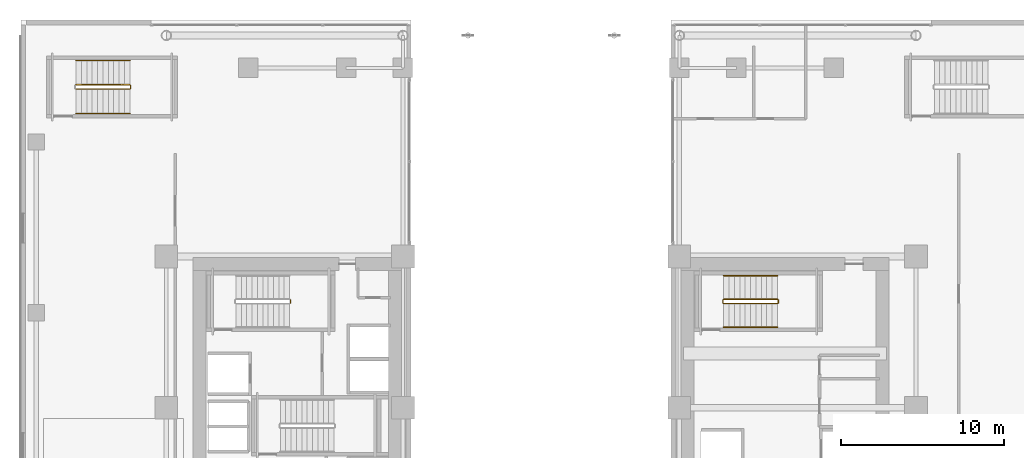
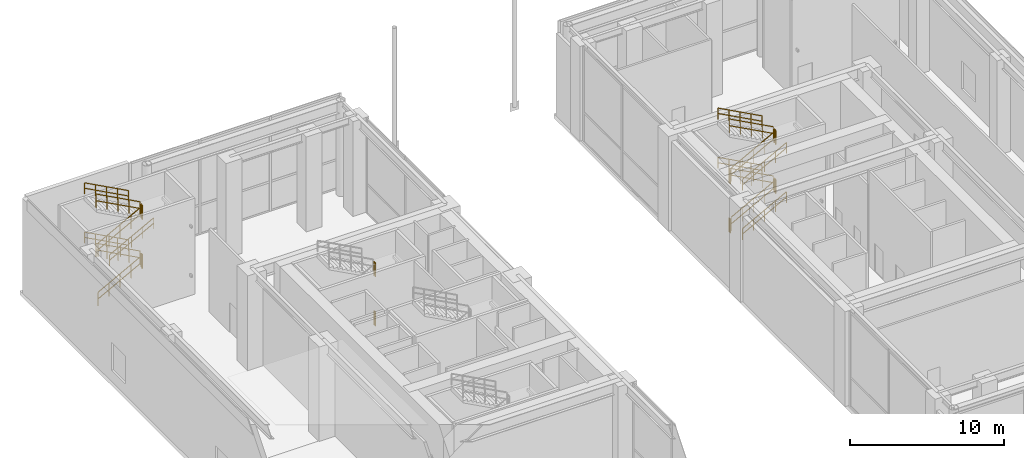
# One storey, part 27 of 29: 23 railings.
"""IFC4 building model written with IfcOpenShell, lengths in metres."""

from ifc_helpers import new_model, si_unit, direction, frame, origin, origin_2d, place, context, subcontext, project, spatial, rectangle, extrude, material, type_object, element, save


model = new_model("IFC4")

# Units and contexts
model_context = context("Model", 3, precision=1e-05, world=origin(), true_north=direction((0.0, 1.0)))
body_context = subcontext(model_context, "Body", "Model", "MODEL_VIEW")
ifc_project = project(units=[si_unit("LENGTHUNIT", "METRE"), si_unit("AREAUNIT", "SQUARE_METRE"), si_unit("VOLUMEUNIT", "CUBIC_METRE"), si_unit("PLANEANGLEUNIT", "RADIAN"), si_unit("MASSUNIT", "GRAM", prefix="KILO")], contexts=[model_context])

# Site, building, storey
site_placement = place(None, origin())
site = spatial("IfcSite", under=ifc_project, at=site_placement, CompositionType="ELEMENT")
building_placement = place(site_placement, origin())
building = spatial("IfcBuilding", under=site, at=building_placement, Name="Ocotamira Hotel", CompositionType="ELEMENT")
storey_placement = place(building_placement, frame((0.0, 0.0, 11.39990234375)))
storey = spatial("IfcBuildingStorey", under=building, at=storey_placement, Name="L03", CompositionType="ELEMENT", Elevation=11.39990234375)

# Railings
ifc_material_1 = material(Name="Brushed stainless steel handrail", Category="steel")
railing_type_1 = type_object("IfcRailingType", Name="RL-HAND-900", PredefinedType="HANDRAIL", material=ifc_material_1)
railing_1_placement = place(storey_placement, frame((43.22998046875, 33.10009765625, 0.354736328125)))
element("IfcRailing", 1, at=railing_1_placement, inside=storey, type_object=railing_type_1, Name="L03 ST-4 stair handrail 1", PredefinedType="HANDRAIL", context=body_context, shape_type="SweptSolid", body=[
    extrude(rectangle(XDim=0.048095703125, YDim=0.048095703125, at=origin_2d()), frame((0.0, 0.0, 0.8759765625), z_axis=(0.880943614595, 0.0, 0.473221246251), x_axis=(0.0, 1.0, 0.0)), (0.0, 0.0, 1.0), 3.74609375),
    extrude(rectangle(XDim=0.048095703125, YDim=0.048095703125, at=origin_2d()), frame((0.0, 0.0, 0.449951171875), z_axis=(0.880943614595, 0.0, 0.473221246251), x_axis=(0.0, 1.0, 0.0)), (0.0, 0.0, 1.0), 3.74609375),
    extrude(rectangle(XDim=0.0419921875, YDim=0.0419921875, at=origin_2d()), origin(), (0.0, 0.0, 1.0), 0.851806640625),
    extrude(rectangle(XDim=0.0419921875, YDim=0.0419921875, at=origin_2d()), frame((0.824951171875, 0.0, 0.443115234375)), (0.0, 0.0, 1.0), 0.851806640625),
    extrude(rectangle(XDim=0.0419921875, YDim=0.0419921875, at=origin_2d()), frame((1.64990234375, 0.0, 0.88623046875)), (0.0, 0.0, 1.0), 0.851806640625),
    extrude(rectangle(XDim=0.0419921875, YDim=0.0419921875, at=origin_2d()), frame((2.47509765625, 0.0, 1.32958984375)), (0.0, 0.0, 1.0), 0.851806640625),
    extrude(rectangle(XDim=0.0419921875, YDim=0.0419921875, at=origin_2d()), frame((3.300048828125, 0.0, 1.772705078125)), (0.0, 0.0, 1.0), 0.851806640625),
])
railing_2_placement = place(storey_placement, frame((46.530029296875, 36.280029296875, 2.3046875)))
element("IfcRailing", 2, at=railing_2_placement, inside=storey, type_object=railing_type_1, Name="L03 ST-4 stair handrail 2", PredefinedType="HANDRAIL", context=body_context, shape_type="SweptSolid", body=[
    extrude(rectangle(XDim=0.048095703125, YDim=0.048095703125, at=origin_2d()), frame((0.0, 0.0, 0.8759765625), z_axis=(-0.880943614595, 0.0, 0.473221246251), x_axis=(0.0, -1.0, 0.0)), (0.0, 0.0, 1.0), 3.74609375),
    extrude(rectangle(XDim=0.048095703125, YDim=0.048095703125, at=origin_2d()), frame((0.0, 0.0, 0.449951171875), z_axis=(-0.880943614595, 0.0, 0.473221246251), x_axis=(0.0, -1.0, 0.0)), (0.0, 0.0, 1.0), 3.74609375),
    extrude(rectangle(XDim=0.0419921875, YDim=0.0419921875, at=origin_2d()), origin(), (0.0, 0.0, 1.0), 0.851806640625),
    extrude(rectangle(XDim=0.0419921875, YDim=0.0419921875, at=origin_2d()), frame((-0.824951171875, 0.0, 0.443115234375)), (0.0, 0.0, 1.0), 0.851806640625),
    extrude(rectangle(XDim=0.0419921875, YDim=0.0419921875, at=origin_2d()), frame((-1.64990234375, 0.0, 0.88623046875)), (0.0, 0.0, 1.0), 0.851806640625),
    extrude(rectangle(XDim=0.0419921875, YDim=0.0419921875, at=origin_2d()), frame((-2.47509765625, 0.0, 1.32958984375)), (0.0, 0.0, 1.0), 0.851806640625),
    extrude(rectangle(XDim=0.0419921875, YDim=0.0419921875, at=origin_2d()), frame((-3.300048828125, 0.0, 1.772705078125)), (0.0, 0.0, 1.0), 0.851806640625),
])
railing_3_placement = place(storey_placement, frame((43.22998046875, 33.10009765625, 4.254638671875)))
element("IfcRailing", 3, at=railing_3_placement, inside=storey, type_object=railing_type_1, Name="L03 ST-4 stair handrail 3", PredefinedType="HANDRAIL", context=body_context, shape_type="SweptSolid", body=[
    extrude(rectangle(XDim=0.048095703125, YDim=0.048095703125, at=origin_2d()), frame((0.0, 0.0, 0.8759765625), z_axis=(0.880943614595, 0.0, 0.473221246251), x_axis=(0.0, 1.0, 0.0)), (0.0, 0.0, 1.0), 3.74609375),
    extrude(rectangle(XDim=0.048095703125, YDim=0.048095703125, at=origin_2d()), frame((0.0, 0.0, 0.449951171875), z_axis=(0.880943614595, 0.0, 0.473221246251), x_axis=(0.0, 1.0, 0.0)), (0.0, 0.0, 1.0), 3.74609375),
    extrude(rectangle(XDim=0.0419921875, YDim=0.0419921875, at=origin_2d()), origin(), (0.0, 0.0, 1.0), 0.851806640625),
    extrude(rectangle(XDim=0.0419921875, YDim=0.0419921875, at=origin_2d()), frame((0.824951171875, 0.0, 0.443115234375)), (0.0, 0.0, 1.0), 0.851806640625),
    extrude(rectangle(XDim=0.0419921875, YDim=0.0419921875, at=origin_2d()), frame((1.64990234375, 0.0, 0.88623046875)), (0.0, 0.0, 1.0), 0.851806640625),
    extrude(rectangle(XDim=0.0419921875, YDim=0.0419921875, at=origin_2d()), frame((2.47509765625, 0.0, 1.32958984375)), (0.0, 0.0, 1.0), 0.851806640625),
    extrude(rectangle(XDim=0.0419921875, YDim=0.0419921875, at=origin_2d()), frame((3.300048828125, 0.0, 1.772705078125)), (0.0, 0.0, 1.0), 0.851806640625),
])
for number, where, name in (
    (4, (46.530029296875, 36.280029296875, 6.20458984375), "L03 ST-4 stair handrail 4"),
    (5, (6.699951171875, 49.510009765625, 2.3046875), "L03 ST-5 stair handrail 2"),
):
    element("IfcRailing", number, at=place(storey_placement, frame(where)), inside=storey, type_object=railing_type_1, Name=name, PredefinedType="HANDRAIL", context=body_context, shape_type="SweptSolid", body=[
        extrude(rectangle(XDim=0.048095703125, YDim=0.048095703125, at=origin_2d()), frame((0.0, 0.0, 0.8759765625), z_axis=(-0.880943614595, 0.0, 0.473221246251), x_axis=(0.0, -1.0, 0.0)), (0.0, 0.0, 1.0), 3.74609375),
        extrude(rectangle(XDim=0.048095703125, YDim=0.048095703125, at=origin_2d()), frame((0.0, 0.0, 0.449951171875), z_axis=(-0.880943614595, 0.0, 0.473221246251), x_axis=(0.0, -1.0, 0.0)), (0.0, 0.0, 1.0), 3.74609375),
        extrude(rectangle(XDim=0.0419921875, YDim=0.0419921875, at=origin_2d()), origin(), (0.0, 0.0, 1.0), 0.851806640625),
        extrude(rectangle(XDim=0.0419921875, YDim=0.0419921875, at=origin_2d()), frame((-0.824951171875, 0.0, 0.443115234375)), (0.0, 0.0, 1.0), 0.851806640625),
        extrude(rectangle(XDim=0.0419921875, YDim=0.0419921875, at=origin_2d()), frame((-1.64990234375, 0.0, 0.88623046875)), (0.0, 0.0, 1.0), 0.851806640625),
        extrude(rectangle(XDim=0.0419921875, YDim=0.0419921875, at=origin_2d()), frame((-2.47509765625, 0.0, 1.32958984375)), (0.0, 0.0, 1.0), 0.851806640625),
        extrude(rectangle(XDim=0.0419921875, YDim=0.0419921875, at=origin_2d()), frame((-3.300048828125, 0.0, 1.772705078125)), (0.0, 0.0, 1.0), 0.851806640625),
    ])
railing_4_placement = place(storey_placement, frame((3.39990234375, 46.25, 4.254638671875)))
element("IfcRailing", 6, at=railing_4_placement, inside=storey, type_object=railing_type_1, Name="L03 ST-5 stair handrail 3", PredefinedType="HANDRAIL", context=body_context, shape_type="SweptSolid", body=[
    extrude(rectangle(XDim=0.048095703125, YDim=0.048095703125, at=origin_2d()), frame((0.0, 0.0, 0.8759765625), z_axis=(0.880943614595, 0.0, 0.473221246251), x_axis=(0.0, 1.0, 0.0)), (0.0, 0.0, 1.0), 3.74609375),
    extrude(rectangle(XDim=0.048095703125, YDim=0.048095703125, at=origin_2d()), frame((0.0, 0.0, 0.449951171875), z_axis=(0.880943614595, 0.0, 0.473221246251), x_axis=(0.0, 1.0, 0.0)), (0.0, 0.0, 1.0), 3.74609375),
    extrude(rectangle(XDim=0.0419921875, YDim=0.0419921875, at=origin_2d()), origin(), (0.0, 0.0, 1.0), 0.851806640625),
    extrude(rectangle(XDim=0.0419921875, YDim=0.0419921875, at=origin_2d()), frame((0.824951171875, 0.0, 0.443115234375)), (0.0, 0.0, 1.0), 0.851806640625),
    extrude(rectangle(XDim=0.0419921875, YDim=0.0419921875, at=origin_2d()), frame((1.64990234375, 0.0, 0.88623046875)), (0.0, 0.0, 1.0), 0.851806640625),
    extrude(rectangle(XDim=0.0419921875, YDim=0.0419921875, at=origin_2d()), frame((2.47509765625, 0.0, 1.32958984375)), (0.0, 0.0, 1.0), 0.851806640625),
    extrude(rectangle(XDim=0.0419921875, YDim=0.0419921875, at=origin_2d()), frame((3.300048828125, 0.0, 1.772705078125)), (0.0, 0.0, 1.0), 0.851806640625),
])
railing_5_placement = place(storey_placement, frame((6.699951171875, 49.510009765625, 6.20458984375)))
element("IfcRailing", 7, at=railing_5_placement, inside=storey, type_object=railing_type_1, Name="L03 ST-5 stair handrail 4", PredefinedType="HANDRAIL", context=body_context, shape_type="SweptSolid", body=[
    extrude(rectangle(XDim=0.048095703125, YDim=0.048095703125, at=origin_2d()), frame((0.0, 0.0, 0.8759765625), z_axis=(-0.880943614595, 0.0, 0.473221246251), x_axis=(0.0, -1.0, 0.0)), (0.0, 0.0, 1.0), 3.74609375),
    extrude(rectangle(XDim=0.048095703125, YDim=0.048095703125, at=origin_2d()), frame((0.0, 0.0, 0.449951171875), z_axis=(-0.880943614595, 0.0, 0.473221246251), x_axis=(0.0, -1.0, 0.0)), (0.0, 0.0, 1.0), 3.74609375),
    extrude(rectangle(XDim=0.0419921875, YDim=0.0419921875, at=origin_2d()), origin(), (0.0, 0.0, 1.0), 0.851806640625),
    extrude(rectangle(XDim=0.0419921875, YDim=0.0419921875, at=origin_2d()), frame((-0.824951171875, 0.0, 0.443115234375)), (0.0, 0.0, 1.0), 0.851806640625),
    extrude(rectangle(XDim=0.0419921875, YDim=0.0419921875, at=origin_2d()), frame((-1.64990234375, 0.0, 0.88623046875)), (0.0, 0.0, 1.0), 0.851806640625),
    extrude(rectangle(XDim=0.0419921875, YDim=0.0419921875, at=origin_2d()), frame((-2.47509765625, 0.0, 1.32958984375)), (0.0, 0.0, 1.0), 0.851806640625),
    extrude(rectangle(XDim=0.0419921875, YDim=0.0419921875, at=origin_2d()), frame((-3.300048828125, 0.0, 1.772705078125)), (0.0, 0.0, 1.0), 0.851806640625),
])
ifc_material_2 = material(Name="Painted steel stair guardrail", Category="steel")
railing_type_2 = type_object("IfcRailingType", Name="RL-STAIR-1100", PredefinedType="GUARDRAIL", material=ifc_material_2)
for number, where, name in (
    (8, (16.580078125, 34.610107421875, 1.9501953125), "L03 ST-2 stair guard 2"),
    (9, (16.580078125, 34.610107421875, 5.85009765625), "L03 ST-2 stair guard 6"),
):
    element("IfcRailing", number, at=place(storey_placement, frame(where)), inside=storey, type_object=railing_type_2, Name=name, PredefinedType="GUARDRAIL", context=body_context, shape_type="SweptSolid", body=[
        extrude(rectangle(XDim=0.048095703125, YDim=0.048095703125, at=origin_2d()), frame((0.0, 0.0, 1.076171875), z_axis=(0.0, 1.0, 0.0), x_axis=(-1.0, 0.0, 0.0)), (0.0, 0.0, 1.0), 0.159912109375),
        extrude(rectangle(XDim=0.048095703125, YDim=0.048095703125, at=origin_2d()), frame((0.0, 0.0, 0.550048828125), z_axis=(0.0, 1.0, 0.0), x_axis=(-1.0, 0.0, 0.0)), (0.0, 0.0, 1.0), 0.159912109375),
        extrude(rectangle(XDim=0.0419921875, YDim=0.0419921875, at=origin_2d()), origin(), (0.0, 0.0, 1.0), 1.052001953125),
        extrude(rectangle(XDim=0.0419921875, YDim=0.0419921875, at=origin_2d()), frame((0.0, 0.159912109375, 0.0)), (0.0, 0.0, 1.0), 1.052001953125),
    ])
railing_6_placement = place(storey_placement, frame((43.22998046875, 34.56005859375, 0.177490234375)))
element("IfcRailing", 10, at=railing_6_placement, inside=storey, type_object=railing_type_2, Name="L03 ST-4 stair guard 1", PredefinedType="GUARDRAIL", context=body_context, shape_type="SweptSolid", body=[
    extrude(rectangle(XDim=0.048095703125, YDim=0.048095703125, at=origin_2d()), frame((0.0, 0.0, 1.076171875), z_axis=(0.880943614595, 0.0, 0.473221246251), x_axis=(0.0, 1.0, 0.0)), (0.0, 0.0, 1.0), 3.74609375),
    extrude(rectangle(XDim=0.048095703125, YDim=0.048095703125, at=origin_2d()), frame((0.0, 0.0, 0.550048828125), z_axis=(0.880943614595, 0.0, 0.473221246251), x_axis=(0.0, 1.0, 0.0)), (0.0, 0.0, 1.0), 3.74609375),
    extrude(rectangle(XDim=0.0419921875, YDim=0.0419921875, at=origin_2d()), origin(), (0.0, 0.0, 1.0), 1.052001953125),
    extrude(rectangle(XDim=0.0419921875, YDim=0.0419921875, at=origin_2d()), frame((0.824951171875, 0.0, 0.443115234375)), (0.0, 0.0, 1.0), 1.052001953125),
    extrude(rectangle(XDim=0.0419921875, YDim=0.0419921875, at=origin_2d()), frame((1.64990234375, 0.0, 0.88623046875)), (0.0, 0.0, 1.0), 1.052001953125),
    extrude(rectangle(XDim=0.0419921875, YDim=0.0419921875, at=origin_2d()), frame((2.47509765625, 0.0, 1.32958984375)), (0.0, 0.0, 1.0), 1.052001953125),
    extrude(rectangle(XDim=0.0419921875, YDim=0.0419921875, at=origin_2d()), frame((3.300048828125, 0.0, 1.772705078125)), (0.0, 0.0, 1.0), 1.052001953125),
])
railing_7_placement = place(storey_placement, frame((46.580078125, 34.610107421875, 1.9501953125)))
element("IfcRailing", 11, at=railing_7_placement, inside=storey, type_object=railing_type_2, Name="L03 ST-4 stair guard 2", PredefinedType="GUARDRAIL", context=body_context, shape_type="SweptSolid", body=[
    extrude(rectangle(XDim=0.048095703125, YDim=0.048095703125, at=origin_2d()), frame((0.0, 0.0, 1.076171875), z_axis=(0.0, 1.0, 0.0), x_axis=(-1.0, 0.0, 0.0)), (0.0, 0.0, 1.0), 0.159912109375),
    extrude(rectangle(XDim=0.048095703125, YDim=0.048095703125, at=origin_2d()), frame((0.0, 0.0, 0.550048828125), z_axis=(0.0, 1.0, 0.0), x_axis=(-1.0, 0.0, 0.0)), (0.0, 0.0, 1.0), 0.159912109375),
    extrude(rectangle(XDim=0.0419921875, YDim=0.0419921875, at=origin_2d()), origin(), (0.0, 0.0, 1.0), 1.052001953125),
    extrude(rectangle(XDim=0.0419921875, YDim=0.0419921875, at=origin_2d()), frame((0.0, 0.159912109375, 0.0)), (0.0, 0.0, 1.0), 1.052001953125),
])
railing_8_placement = place(storey_placement, frame((46.530029296875, 34.820068359375, 2.12744140625)))
element("IfcRailing", 12, at=railing_8_placement, inside=storey, type_object=railing_type_2, Name="L03 ST-4 stair guard 3", PredefinedType="GUARDRAIL", context=body_context, shape_type="SweptSolid", body=[
    extrude(rectangle(XDim=0.048095703125, YDim=0.048095703125, at=origin_2d()), frame((0.0, 0.0, 1.076171875), z_axis=(-0.880943614595, 0.0, 0.473221246251), x_axis=(0.0, -1.0, 0.0)), (0.0, 0.0, 1.0), 3.74609375),
    extrude(rectangle(XDim=0.048095703125, YDim=0.048095703125, at=origin_2d()), frame((0.0, 0.0, 0.550048828125), z_axis=(-0.880943614595, 0.0, 0.473221246251), x_axis=(0.0, -1.0, 0.0)), (0.0, 0.0, 1.0), 3.74609375),
    extrude(rectangle(XDim=0.0419921875, YDim=0.0419921875, at=origin_2d()), origin(), (0.0, 0.0, 1.0), 1.052001953125),
    extrude(rectangle(XDim=0.0419921875, YDim=0.0419921875, at=origin_2d()), frame((-0.824951171875, 0.0, 0.443115234375)), (0.0, 0.0, 1.0), 1.052001953125),
    extrude(rectangle(XDim=0.0419921875, YDim=0.0419921875, at=origin_2d()), frame((-1.64990234375, 0.0, 0.88623046875)), (0.0, 0.0, 1.0), 1.052001953125),
    extrude(rectangle(XDim=0.0419921875, YDim=0.0419921875, at=origin_2d()), frame((-2.47509765625, 0.0, 1.32958984375)), (0.0, 0.0, 1.0), 1.052001953125),
    extrude(rectangle(XDim=0.0419921875, YDim=0.0419921875, at=origin_2d()), frame((-3.300048828125, 0.0, 1.772705078125)), (0.0, 0.0, 1.0), 1.052001953125),
])
railing_9_placement = place(storey_placement, frame((43.179931640625, 34.610107421875, 3.900146484375)))
element("IfcRailing", 13, at=railing_9_placement, inside=storey, type_object=railing_type_2, Name="L03 ST-4 stair guard 4", PredefinedType="GUARDRAIL", context=body_context, shape_type="SweptSolid", body=[
    extrude(rectangle(XDim=0.048095703125, YDim=0.048095703125, at=origin_2d()), frame((0.0, 0.0, 1.076171875), z_axis=(0.0, 1.0, 0.0), x_axis=(-1.0, 0.0, 0.0)), (0.0, 0.0, 1.0), 0.159912109375),
    extrude(rectangle(XDim=0.048095703125, YDim=0.048095703125, at=origin_2d()), frame((0.0, 0.0, 0.550048828125), z_axis=(0.0, 1.0, 0.0), x_axis=(-1.0, 0.0, 0.0)), (0.0, 0.0, 1.0), 0.159912109375),
    extrude(rectangle(XDim=0.0419921875, YDim=0.0419921875, at=origin_2d()), origin(), (0.0, 0.0, 1.0), 1.052001953125),
    extrude(rectangle(XDim=0.0419921875, YDim=0.0419921875, at=origin_2d()), frame((0.0, 0.159912109375, 0.0)), (0.0, 0.0, 1.0), 1.052001953125),
])
railing_10_placement = place(storey_placement, frame((43.22998046875, 34.56005859375, 4.077392578125)))
element("IfcRailing", 14, at=railing_10_placement, inside=storey, type_object=railing_type_2, Name="L03 ST-4 stair guard 5", PredefinedType="GUARDRAIL", context=body_context, shape_type="SweptSolid", body=[
    extrude(rectangle(XDim=0.048095703125, YDim=0.048095703125, at=origin_2d()), frame((0.0, 0.0, 1.076171875), z_axis=(0.880943614595, 0.0, 0.473221246251), x_axis=(0.0, 1.0, 0.0)), (0.0, 0.0, 1.0), 3.74609375),
    extrude(rectangle(XDim=0.048095703125, YDim=0.048095703125, at=origin_2d()), frame((0.0, 0.0, 0.550048828125), z_axis=(0.880943614595, 0.0, 0.473221246251), x_axis=(0.0, 1.0, 0.0)), (0.0, 0.0, 1.0), 3.74609375),
    extrude(rectangle(XDim=0.0419921875, YDim=0.0419921875, at=origin_2d()), origin(), (0.0, 0.0, 1.0), 1.052001953125),
    extrude(rectangle(XDim=0.0419921875, YDim=0.0419921875, at=origin_2d()), frame((0.824951171875, 0.0, 0.443115234375)), (0.0, 0.0, 1.0), 1.052001953125),
    extrude(rectangle(XDim=0.0419921875, YDim=0.0419921875, at=origin_2d()), frame((1.64990234375, 0.0, 0.88623046875)), (0.0, 0.0, 1.0), 1.052001953125),
    extrude(rectangle(XDim=0.0419921875, YDim=0.0419921875, at=origin_2d()), frame((2.47509765625, 0.0, 1.32958984375)), (0.0, 0.0, 1.0), 1.052001953125),
    extrude(rectangle(XDim=0.0419921875, YDim=0.0419921875, at=origin_2d()), frame((3.300048828125, 0.0, 1.772705078125)), (0.0, 0.0, 1.0), 1.052001953125),
])
railing_11_placement = place(storey_placement, frame((46.580078125, 34.610107421875, 5.85009765625)))
element("IfcRailing", 15, at=railing_11_placement, inside=storey, type_object=railing_type_2, Name="L03 ST-4 stair guard 6", PredefinedType="GUARDRAIL", context=body_context, shape_type="SweptSolid", body=[
    extrude(rectangle(XDim=0.048095703125, YDim=0.048095703125, at=origin_2d()), frame((0.0, 0.0, 1.076171875), z_axis=(0.0, 1.0, 0.0), x_axis=(-1.0, 0.0, 0.0)), (0.0, 0.0, 1.0), 0.159912109375),
    extrude(rectangle(XDim=0.048095703125, YDim=0.048095703125, at=origin_2d()), frame((0.0, 0.0, 0.550048828125), z_axis=(0.0, 1.0, 0.0), x_axis=(-1.0, 0.0, 0.0)), (0.0, 0.0, 1.0), 0.159912109375),
    extrude(rectangle(XDim=0.0419921875, YDim=0.0419921875, at=origin_2d()), origin(), (0.0, 0.0, 1.0), 1.052001953125),
    extrude(rectangle(XDim=0.0419921875, YDim=0.0419921875, at=origin_2d()), frame((0.0, 0.159912109375, 0.0)), (0.0, 0.0, 1.0), 1.052001953125),
])
railing_12_placement = place(storey_placement, frame((46.530029296875, 34.820068359375, 6.02734375)))
element("IfcRailing", 16, at=railing_12_placement, inside=storey, type_object=railing_type_2, Name="L03 ST-4 stair guard 7", PredefinedType="GUARDRAIL", context=body_context, shape_type="SweptSolid", body=[
    extrude(rectangle(XDim=0.048095703125, YDim=0.048095703125, at=origin_2d()), frame((0.0, 0.0, 1.076171875), z_axis=(-0.880943614595, 0.0, 0.473221246251), x_axis=(0.0, -1.0, 0.0)), (0.0, 0.0, 1.0), 3.74609375),
    extrude(rectangle(XDim=0.048095703125, YDim=0.048095703125, at=origin_2d()), frame((0.0, 0.0, 0.550048828125), z_axis=(-0.880943614595, 0.0, 0.473221246251), x_axis=(0.0, -1.0, 0.0)), (0.0, 0.0, 1.0), 3.74609375),
    extrude(rectangle(XDim=0.0419921875, YDim=0.0419921875, at=origin_2d()), origin(), (0.0, 0.0, 1.0), 1.052001953125),
    extrude(rectangle(XDim=0.0419921875, YDim=0.0419921875, at=origin_2d()), frame((-0.824951171875, 0.0, 0.443115234375)), (0.0, 0.0, 1.0), 1.052001953125),
    extrude(rectangle(XDim=0.0419921875, YDim=0.0419921875, at=origin_2d()), frame((-1.64990234375, 0.0, 0.88623046875)), (0.0, 0.0, 1.0), 1.052001953125),
    extrude(rectangle(XDim=0.0419921875, YDim=0.0419921875, at=origin_2d()), frame((-2.47509765625, 0.0, 1.32958984375)), (0.0, 0.0, 1.0), 1.052001953125),
    extrude(rectangle(XDim=0.0419921875, YDim=0.0419921875, at=origin_2d()), frame((-3.300048828125, 0.0, 1.772705078125)), (0.0, 0.0, 1.0), 1.052001953125),
])
railing_13_placement = place(storey_placement, frame((43.179931640625, 34.610107421875, 0.0)))
element("IfcRailing", 17, at=railing_13_placement, inside=storey, type_object=railing_type_2, Name="L03 ST-4 stair guard 8", PredefinedType="GUARDRAIL", context=body_context, shape_type="SweptSolid", body=[
    extrude(rectangle(XDim=0.048095703125, YDim=0.048095703125, at=origin_2d()), frame((0.0, 0.0, 1.076171875), z_axis=(0.0, 1.0, 0.0), x_axis=(-1.0, 0.0, 0.0)), (0.0, 0.0, 1.0), 0.159912109375),
    extrude(rectangle(XDim=0.048095703125, YDim=0.048095703125, at=origin_2d()), frame((0.0, 0.0, 0.550048828125), z_axis=(0.0, 1.0, 0.0), x_axis=(-1.0, 0.0, 0.0)), (0.0, 0.0, 1.0), 0.159912109375),
    extrude(rectangle(XDim=0.0419921875, YDim=0.0419921875, at=origin_2d()), origin(), (0.0, 0.0, 1.0), 1.052001953125),
    extrude(rectangle(XDim=0.0419921875, YDim=0.0419921875, at=origin_2d()), frame((0.0, 0.159912109375, 0.0)), (0.0, 0.0, 1.0), 1.052001953125),
])
railing_14_placement = place(storey_placement, frame((3.39990234375, 47.75, 0.177490234375)))
element("IfcRailing", 18, at=railing_14_placement, inside=storey, type_object=railing_type_2, Name="L03 ST-5 stair guard 1", PredefinedType="GUARDRAIL", context=body_context, shape_type="SweptSolid", body=[
    extrude(rectangle(XDim=0.048095703125, YDim=0.048095703125, at=origin_2d()), frame((0.0, 0.0, 1.076171875), z_axis=(0.880943614595, 0.0, 0.473221246251), x_axis=(0.0, 1.0, 0.0)), (0.0, 0.0, 1.0), 3.74609375),
    extrude(rectangle(XDim=0.048095703125, YDim=0.048095703125, at=origin_2d()), frame((0.0, 0.0, 0.550048828125), z_axis=(0.880943614595, 0.0, 0.473221246251), x_axis=(0.0, 1.0, 0.0)), (0.0, 0.0, 1.0), 3.74609375),
    extrude(rectangle(XDim=0.0419921875, YDim=0.0419921875, at=origin_2d()), origin(), (0.0, 0.0, 1.0), 1.052001953125),
    extrude(rectangle(XDim=0.0419921875, YDim=0.0419921875, at=origin_2d()), frame((0.824951171875, 0.0, 0.443115234375)), (0.0, 0.0, 1.0), 1.052001953125),
    extrude(rectangle(XDim=0.0419921875, YDim=0.0419921875, at=origin_2d()), frame((1.64990234375, 0.0, 0.88623046875)), (0.0, 0.0, 1.0), 1.052001953125),
    extrude(rectangle(XDim=0.0419921875, YDim=0.0419921875, at=origin_2d()), frame((2.47509765625, 0.0, 1.32958984375)), (0.0, 0.0, 1.0), 1.052001953125),
    extrude(rectangle(XDim=0.0419921875, YDim=0.0419921875, at=origin_2d()), frame((3.300048828125, 0.0, 1.772705078125)), (0.0, 0.0, 1.0), 1.052001953125),
])
railing_15_placement = place(storey_placement, frame((6.75, 47.800048828125, 1.9501953125)))
element("IfcRailing", 19, at=railing_15_placement, inside=storey, type_object=railing_type_2, Name="L03 ST-5 stair guard 2", PredefinedType="GUARDRAIL", context=body_context, shape_type="SweptSolid", body=[
    extrude(rectangle(XDim=0.048095703125, YDim=0.048095703125, at=origin_2d()), frame((0.0, 0.0, 1.076171875), z_axis=(0.0, 1.0, 0.0), x_axis=(-1.0, 0.0, 0.0)), (0.0, 0.0, 1.0), 0.159912109375),
    extrude(rectangle(XDim=0.048095703125, YDim=0.048095703125, at=origin_2d()), frame((0.0, 0.0, 0.550048828125), z_axis=(0.0, 1.0, 0.0), x_axis=(-1.0, 0.0, 0.0)), (0.0, 0.0, 1.0), 0.159912109375),
    extrude(rectangle(XDim=0.0419921875, YDim=0.0419921875, at=origin_2d()), origin(), (0.0, 0.0, 1.0), 1.052001953125),
    extrude(rectangle(XDim=0.0419921875, YDim=0.0419921875, at=origin_2d()), frame((0.0, 0.159912109375, 0.0)), (0.0, 0.0, 1.0), 1.052001953125),
])
railing_16_placement = place(storey_placement, frame((6.699951171875, 48.010009765625, 2.12744140625)))
element("IfcRailing", 20, at=railing_16_placement, inside=storey, type_object=railing_type_2, Name="L03 ST-5 stair guard 3", PredefinedType="GUARDRAIL", context=body_context, shape_type="SweptSolid", body=[
    extrude(rectangle(XDim=0.048095703125, YDim=0.048095703125, at=origin_2d()), frame((0.0, 0.0, 1.076171875), z_axis=(-0.880943614595, 0.0, 0.473221246251), x_axis=(0.0, -1.0, 0.0)), (0.0, 0.0, 1.0), 3.74609375),
    extrude(rectangle(XDim=0.048095703125, YDim=0.048095703125, at=origin_2d()), frame((0.0, 0.0, 0.550048828125), z_axis=(-0.880943614595, 0.0, 0.473221246251), x_axis=(0.0, -1.0, 0.0)), (0.0, 0.0, 1.0), 3.74609375),
    extrude(rectangle(XDim=0.0419921875, YDim=0.0419921875, at=origin_2d()), origin(), (0.0, 0.0, 1.0), 1.052001953125),
    extrude(rectangle(XDim=0.0419921875, YDim=0.0419921875, at=origin_2d()), frame((-0.824951171875, 0.0, 0.443115234375)), (0.0, 0.0, 1.0), 1.052001953125),
    extrude(rectangle(XDim=0.0419921875, YDim=0.0419921875, at=origin_2d()), frame((-1.64990234375, 0.0, 0.88623046875)), (0.0, 0.0, 1.0), 1.052001953125),
    extrude(rectangle(XDim=0.0419921875, YDim=0.0419921875, at=origin_2d()), frame((-2.47509765625, 0.0, 1.32958984375)), (0.0, 0.0, 1.0), 1.052001953125),
    extrude(rectangle(XDim=0.0419921875, YDim=0.0419921875, at=origin_2d()), frame((-3.300048828125, 0.0, 1.772705078125)), (0.0, 0.0, 1.0), 1.052001953125),
])
railing_17_placement = place(storey_placement, frame((3.39990234375, 47.75, 4.077392578125)))
element("IfcRailing", 21, at=railing_17_placement, inside=storey, type_object=railing_type_2, Name="L03 ST-5 stair guard 5", PredefinedType="GUARDRAIL", context=body_context, shape_type="SweptSolid", body=[
    extrude(rectangle(XDim=0.048095703125, YDim=0.048095703125, at=origin_2d()), frame((0.0, 0.0, 1.076171875), z_axis=(0.880943614595, 0.0, 0.473221246251), x_axis=(0.0, 1.0, 0.0)), (0.0, 0.0, 1.0), 3.74609375),
    extrude(rectangle(XDim=0.048095703125, YDim=0.048095703125, at=origin_2d()), frame((0.0, 0.0, 0.550048828125), z_axis=(0.880943614595, 0.0, 0.473221246251), x_axis=(0.0, 1.0, 0.0)), (0.0, 0.0, 1.0), 3.74609375),
    extrude(rectangle(XDim=0.0419921875, YDim=0.0419921875, at=origin_2d()), origin(), (0.0, 0.0, 1.0), 1.052001953125),
    extrude(rectangle(XDim=0.0419921875, YDim=0.0419921875, at=origin_2d()), frame((0.824951171875, 0.0, 0.443115234375)), (0.0, 0.0, 1.0), 1.052001953125),
    extrude(rectangle(XDim=0.0419921875, YDim=0.0419921875, at=origin_2d()), frame((1.64990234375, 0.0, 0.88623046875)), (0.0, 0.0, 1.0), 1.052001953125),
    extrude(rectangle(XDim=0.0419921875, YDim=0.0419921875, at=origin_2d()), frame((2.47509765625, 0.0, 1.32958984375)), (0.0, 0.0, 1.0), 1.052001953125),
    extrude(rectangle(XDim=0.0419921875, YDim=0.0419921875, at=origin_2d()), frame((3.300048828125, 0.0, 1.772705078125)), (0.0, 0.0, 1.0), 1.052001953125),
])
railing_18_placement = place(storey_placement, frame((6.75, 47.800048828125, 5.85009765625)))
element("IfcRailing", 22, at=railing_18_placement, inside=storey, type_object=railing_type_2, Name="L03 ST-5 stair guard 6", PredefinedType="GUARDRAIL", context=body_context, shape_type="SweptSolid", body=[
    extrude(rectangle(XDim=0.048095703125, YDim=0.048095703125, at=origin_2d()), frame((0.0, 0.0, 1.076171875), z_axis=(0.0, 1.0, 0.0), x_axis=(-1.0, 0.0, 0.0)), (0.0, 0.0, 1.0), 0.159912109375),
    extrude(rectangle(XDim=0.048095703125, YDim=0.048095703125, at=origin_2d()), frame((0.0, 0.0, 0.550048828125), z_axis=(0.0, 1.0, 0.0), x_axis=(-1.0, 0.0, 0.0)), (0.0, 0.0, 1.0), 0.159912109375),
    extrude(rectangle(XDim=0.0419921875, YDim=0.0419921875, at=origin_2d()), origin(), (0.0, 0.0, 1.0), 1.052001953125),
    extrude(rectangle(XDim=0.0419921875, YDim=0.0419921875, at=origin_2d()), frame((0.0, 0.159912109375, 0.0)), (0.0, 0.0, 1.0), 1.052001953125),
])
railing_19_placement = place(storey_placement, frame((6.699951171875, 48.010009765625, 6.02734375)))
element("IfcRailing", 23, at=railing_19_placement, inside=storey, type_object=railing_type_2, Name="L03 ST-5 stair guard 7", PredefinedType="GUARDRAIL", context=body_context, shape_type="SweptSolid", body=[
    extrude(rectangle(XDim=0.048095703125, YDim=0.048095703125, at=origin_2d()), frame((0.0, 0.0, 1.076171875), z_axis=(-0.880943614595, 0.0, 0.473221246251), x_axis=(0.0, -1.0, 0.0)), (0.0, 0.0, 1.0), 3.74609375),
    extrude(rectangle(XDim=0.048095703125, YDim=0.048095703125, at=origin_2d()), frame((0.0, 0.0, 0.550048828125), z_axis=(-0.880943614595, 0.0, 0.473221246251), x_axis=(0.0, -1.0, 0.0)), (0.0, 0.0, 1.0), 3.74609375),
    extrude(rectangle(XDim=0.0419921875, YDim=0.0419921875, at=origin_2d()), origin(), (0.0, 0.0, 1.0), 1.052001953125),
    extrude(rectangle(XDim=0.0419921875, YDim=0.0419921875, at=origin_2d()), frame((-0.824951171875, 0.0, 0.443115234375)), (0.0, 0.0, 1.0), 1.052001953125),
    extrude(rectangle(XDim=0.0419921875, YDim=0.0419921875, at=origin_2d()), frame((-1.64990234375, 0.0, 0.88623046875)), (0.0, 0.0, 1.0), 1.052001953125),
    extrude(rectangle(XDim=0.0419921875, YDim=0.0419921875, at=origin_2d()), frame((-2.47509765625, 0.0, 1.32958984375)), (0.0, 0.0, 1.0), 1.052001953125),
    extrude(rectangle(XDim=0.0419921875, YDim=0.0419921875, at=origin_2d()), frame((-3.300048828125, 0.0, 1.772705078125)), (0.0, 0.0, 1.0), 1.052001953125),
])

save(model, "model.ifc")
